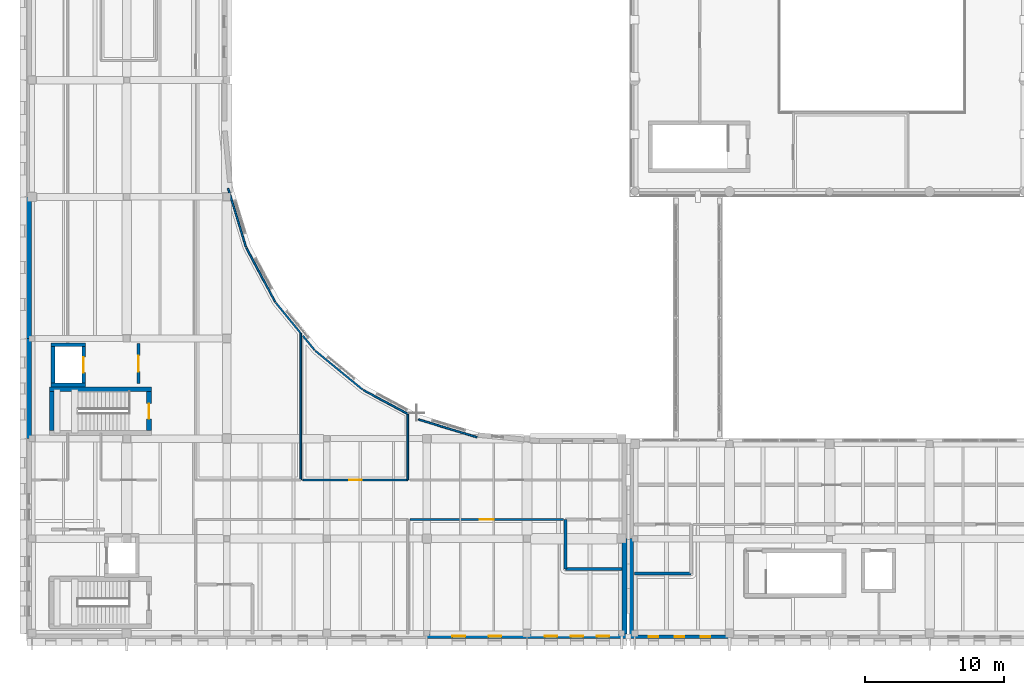
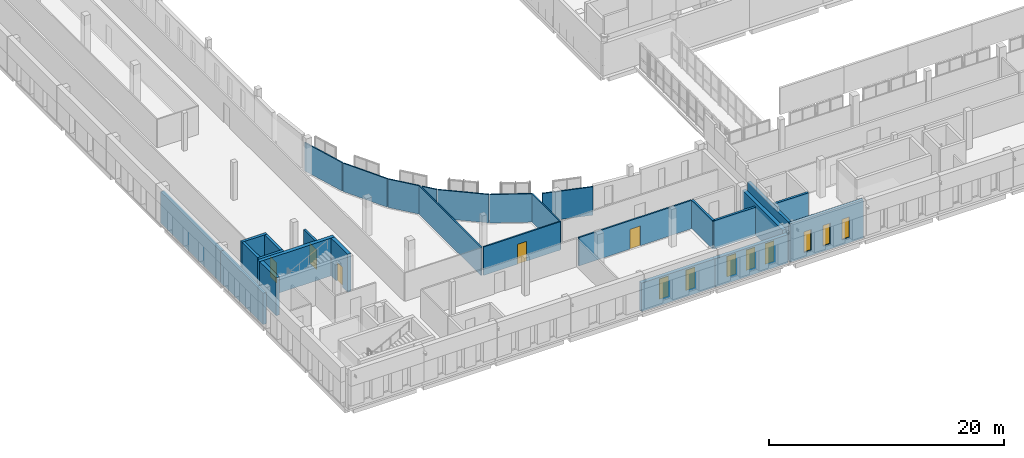
# One storey, part 50 of 76: 29 walls, 8 windows, 5 doors, 13 openings.
"""IFC4 building model written with IfcOpenShell, lengths in metres."""

from ifc_helpers import new_model, si_unit, direction, frame, frame_2d, origin, place, context, subcontext, project, spatial, rectangle, extrude, material, layer, layer_set, type_object, element, fill, save


model = new_model("IFC4")

# Units and contexts
model_context = context("Model", 3, precision=1e-05, world=origin(), true_north=direction((0.0, 1.0)))
body_context = subcontext(model_context, "Body", "Model", "MODEL_VIEW")
ifc_project = project(units=[si_unit("LENGTHUNIT", "METRE"), si_unit("AREAUNIT", "SQUARE_METRE"), si_unit("VOLUMEUNIT", "CUBIC_METRE"), si_unit("PLANEANGLEUNIT", "RADIAN"), si_unit("MASSUNIT", "GRAM", prefix="KILO")], contexts=[model_context])

# Site, building, storey
site_placement = place(None, origin())
site = spatial("IfcSite", under=ifc_project, at=site_placement, CompositionType="ELEMENT")
building_placement = place(site_placement, origin())
building = spatial("IfcBuilding", under=site, at=building_placement, Name="Vardoun Plaza Health Centre", CompositionType="ELEMENT")
storey_placement = place(building_placement, frame((0.0, 0.0, 4.5)))
storey = spatial("IfcBuildingStorey", under=building, at=storey_placement, Name="L01", CompositionType="ELEMENT", Elevation=4.5)

# Walls
ifc_material_1 = material(Name="Concrete C40/50", Category="concrete")
ifc_layer_1 = layer(ifc_material_1, 0.27001953125)
ifc_layer_set_1 = layer_set([ifc_layer_1], Name="Concrete C40/50")
wall_type_1 = type_object("IfcWallType", Name="SW-03", PredefinedType="SHEAR", material=ifc_layer_set_1)
wall_1_placement = place(storey_placement, frame((8.735107421875, 22.75, 0.0), z_axis=(0.0, 0.0, 1.0), x_axis=(-1.0, 0.0, 0.0)))
element("IfcWall", 1, at=wall_1_placement, inside=storey, type_object=wall_type_1, Name="Lift LF-02 L01 Shaft Wall S", PredefinedType="SHEAR", context=body_context, shape_type="SweptSolid", body=[
    extrude(rectangle(XDim=2.47021484375, YDim=0.27001953125, at=frame_2d((1.235107421875, 0.0))), origin(), (0.0, 0.0, 1.0), 3.919921875),
])
wall_2_placement = place(storey_placement, frame((6.39990234375, 22.885009765625, 0.0), z_axis=(0.0, 0.0, 1.0), x_axis=(0.0, 1.0, 0.0)))
element("IfcWall", 2, at=wall_2_placement, inside=storey, type_object=wall_type_1, Name="Lift LF-02 L01 Shaft Wall W", PredefinedType="SHEAR", context=body_context, shape_type="SweptSolid", body=[
    extrude(rectangle(XDim=2.6298828125, YDim=0.27001953125, at=frame_2d((1.31494140625, 0.0))), origin(), (0.0, 0.0, 1.0), 3.919921875),
])
wall_3_placement = place(storey_placement, frame((6.264892578125, 25.64990234375, 0.0), z_axis=(0.0, 0.0, 1.0), x_axis=(1.0, 0.0, 0.0)))
element("IfcWall", 3, at=wall_3_placement, inside=storey, type_object=wall_type_1, Name="Lift LF-02 L01 Shaft Wall N", PredefinedType="SHEAR", context=body_context, shape_type="SweptSolid", body=[
    extrude(rectangle(XDim=2.47021484375, YDim=0.27001953125, at=frame_2d((1.235107421875, 0.0))), origin(), (0.0, 0.0, 1.0), 3.919921875),
])

# Wall, opening, door
wall_4_placement = place(storey_placement, frame((8.60009765625, 25.514892578125, 0.0), z_axis=(0.0, 0.0, 1.0), x_axis=(0.0, -1.0, 0.0)))
wall_4 = element("IfcWall", 4, at=wall_4_placement, inside=storey, type_object=wall_type_1, Name="Lift LF-02 L01 Shaft Wall E", PredefinedType="SHEAR", context=body_context, shape_type="SweptSolid", body=[
    extrude(rectangle(XDim=2.6298828125, YDim=0.27001953125, at=frame_2d((1.31494140625, 0.0))), origin(), (0.0, 0.0, 1.0), 3.919921875),
])
opening_1_placement = place(wall_4_placement, frame((0.7548828125, 0.0, 0.0)))
opening_1 = element("IfcOpeningElement", 5, at=opening_1_placement, cuts=wall_4, Name="Opening LD-LF-02-L01", PredefinedType="OPENING", context=body_context, shape_type="SweptSolid", body=[
    extrude(rectangle(XDim=1.1201171875, YDim=2.10009765625, at=frame_2d((0.56005859375, 1.050048828125))), frame((0.0, 0.135009765625, 0.0), z_axis=(0.0, -1.0, 0.0), x_axis=(1.0, 0.0, 0.0)), (0.0, 0.0, 1.0), 0.27001953125),
])
ifc_material_2 = material(Name="Brushed Stainless Steel Grade 316L", Category="steel")
door_type_1 = type_object("IfcDoorType", Name="LD-01", OperationType="DOUBLE_DOOR_SLIDING", PredefinedType="DOOR", material=ifc_material_2)
door_1_placement = place(opening_1_placement, origin())
door_1 = element("IfcDoor", 6, at=door_1_placement, inside=storey, type_object=door_type_1, Name="Lift LF-02 L01 Sliding Landing Door", OperationType="DOUBLE_DOOR_SLIDING", OverallHeight=2.10009765625, OverallWidth=1.1201171875, PredefinedType="DOOR", context=body_context, shape_type="SweptSolid", body=[
    extrude(rectangle(XDim=1.1201171875, YDim=2.10009765625, at=frame_2d((0.56005859375, 1.050048828125))), frame((0.0, 0.02490234375, 0.0), z_axis=(0.0, -1.0, 0.0), x_axis=(1.0, 0.0, 0.0)), (0.0, 0.0, 1.0), 0.050048828125),
])
fill(opening_1, door_1)

# Walls
ifc_material_3 = material(Name="Concrete C40/50", Category="concrete")
ifc_layer_2 = layer(ifc_material_3, 0.35009765625)
ifc_layer_set_2 = layer_set([ifc_layer_2], Name="Concrete C40/50")
wall_type_2 = type_object("IfcWallType", Name="SW-02", PredefinedType="SHEAR", material=ifc_layer_set_2)
wall_5_placement = place(storey_placement, frame((6.300048828125, 19.47509765625, 0.0), z_axis=(0.0, 0.0, 1.0), x_axis=(0.0, 1.0, 0.0)))
element("IfcWall", 7, at=wall_5_placement, inside=storey, type_object=wall_type_2, Name="Core C2 L01 Shear Wall W", PredefinedType="SHEAR", context=body_context, shape_type="SweptSolid", body=[
    extrude(rectangle(XDim=2.7998046875, YDim=0.35009765625, at=frame_2d((1.39990234375, 0.0))), origin(), (0.0, 0.0, 1.0), 3.919921875),
])
wall_6_placement = place(storey_placement, frame((6.125, 22.449951171875, 0.0), z_axis=(0.0, 0.0, 1.0), x_axis=(1.0, 0.0, 0.0)))
element("IfcWall", 8, at=wall_6_placement, inside=storey, type_object=wall_type_2, Name="Core C2 L01 Shear Wall N", PredefinedType="SHEAR", context=body_context, shape_type="SweptSolid", body=[
    extrude(rectangle(XDim=7.35009765625, YDim=0.35009765625, at=frame_2d((3.675048828125, 0.0))), origin(), (0.0, 0.0, 1.0), 3.919921875),
])

# Wall, opening, door
wall_7_placement = place(storey_placement, frame((13.300048828125, 22.27490234375, 0.0), z_axis=(0.0, 0.0, 1.0), x_axis=(0.0, -1.0, 0.0)))
wall_7 = element("IfcWall", 9, at=wall_7_placement, inside=storey, type_object=wall_type_2, Name="Core C2 L01 Shear Wall E", PredefinedType="SHEAR", context=body_context, shape_type="SweptSolid", body=[
    extrude(rectangle(XDim=2.7998046875, YDim=0.35009765625, at=frame_2d((1.39990234375, 0.0))), origin(), (0.0, 0.0, 1.0), 3.919921875),
])
opening_2_placement = place(wall_7_placement, frame((0.85009765625, 0.0, 0.0)))
opening_2 = element("IfcOpeningElement", 10, at=opening_2_placement, cuts=wall_7, Name="Opening SD-C2-L01", PredefinedType="OPENING", context=body_context, shape_type="SweptSolid", body=[
    extrude(rectangle(XDim=1.10009765625, YDim=2.050048828125, at=frame_2d((0.550048828125, 1.02490234375))), frame((0.0, 0.175048828125, 0.0), z_axis=(0.0, -1.0, 0.0), x_axis=(1.0, 0.0, 0.0)), (0.0, 0.0, 1.0), 0.35009765625),
])
ifc_material_4 = material(Name="Brushed Stainless Steel Grade 316L", Category="steel")
door_type_2 = type_object("IfcDoorType", Name="FD-01", OperationType="NOTDEFINED", PredefinedType="DOOR", material=ifc_material_4)
door_2_placement = place(opening_2_placement, origin())
door_2 = element("IfcDoor", 11, at=door_2_placement, inside=storey, type_object=door_type_2, Name="Stair C2 L01 Fire Door", OperationType="SINGLE_SWING_LEFT", OverallHeight=2.050048828125, OverallWidth=1.10009765625, PredefinedType="DOOR", context=body_context, shape_type="SweptSolid", body=[
    extrude(rectangle(XDim=1.10009765625, YDim=2.050048828125, at=frame_2d((0.550048828125, 1.02490234375))), frame((0.0, 0.02490234375, 0.0), z_axis=(0.0, -1.0, 0.0), x_axis=(1.0, 0.0, 0.0)), (0.0, 0.0, 1.0), 0.050048828125),
])
fill(opening_2, door_2)

# Wall, openings, windows
ifc_material_5 = material(Name="Pale Limestone Concrete C35/45", Category="masonry")
ifc_layer_3 = layer(ifc_material_5, 0.280029296875)
ifc_layer_set_3 = layer_set([ifc_layer_3], Name="Pale Limestone Concrete C35/45")
wall_type_3 = type_object("IfcWallType", Name="EW-05", PredefinedType="STANDARD", material=ifc_layer_set_3)
wall_8_placement = place(storey_placement, frame((55.080078125, 4.639892578125, 0.0), z_axis=(0.0, 0.0, 1.0), x_axis=(-1.0, 0.0, 0.0)))
wall_8 = element("IfcWall", 12, at=wall_8_placement, inside=storey, type_object=wall_type_3, Name="V4 L01 Exterior Wall EW-V4-345", PredefinedType="STANDARD", context=body_context, shape_type="SweptSolid", body=[
    extrude(rectangle(XDim=7.2001953125, YDim=0.280029296875, at=frame_2d((3.60009765625, 0.0))), origin(), (0.0, 0.0, 1.0), 3.9951171875),
])
opening_3_placement = place(wall_8_placement, frame((1.373046875, 0.0, 0.550048828125)))
opening_3 = element("IfcOpeningElement", 13, at=opening_3_placement, cuts=wall_8, Name="Opening W-32-015", PredefinedType="OPENING", context=body_context, shape_type="SweptSolid", body=[
    extrude(rectangle(XDim=0.7099609375, YDim=2.139892578125, at=frame_2d((0.35498046875, 1.06982421875))), frame((0.0, 0.14013671875, 0.0), z_axis=(0.0, -1.0, 0.0), x_axis=(1.0, 0.0, 0.0)), (0.0, 0.0, 1.0), 0.280029296875),
])
opening_4_placement = place(wall_8_placement, frame((3.2451171875, 0.0, 0.550048828125)))
opening_4 = element("IfcOpeningElement", 14, at=opening_4_placement, cuts=wall_8, Name="Opening W-32-016", PredefinedType="OPENING", context=body_context, shape_type="SweptSolid", body=[
    extrude(rectangle(XDim=0.7099609375, YDim=2.139892578125, at=frame_2d((0.35498046875, 1.06982421875))), frame((0.0, 0.14013671875, 0.0), z_axis=(0.0, -1.0, 0.0), x_axis=(1.0, 0.0, 0.0)), (0.0, 0.0, 1.0), 0.280029296875),
])
opening_5_placement = place(wall_8_placement, frame((5.116943359375, 0.0, 0.550048828125)))
opening_5 = element("IfcOpeningElement", 15, at=opening_5_placement, cuts=wall_8, Name="Opening W-32-017", PredefinedType="OPENING", context=body_context, shape_type="SweptSolid", body=[
    extrude(rectangle(XDim=0.7099609375, YDim=2.139892578125, at=frame_2d((0.35498046875, 1.06982421875))), frame((0.0, 0.14013671875, 0.0), z_axis=(0.0, -1.0, 0.0), x_axis=(1.0, 0.0, 0.0)), (0.0, 0.0, 1.0), 0.280029296875),
])
ifc_material_6 = material(Name="Aluminium Alloy EN AW-6063-T6 and Low-E Glass", Category="aluminium")
window_type_1 = type_object("IfcWindowType", Name="W-32", PartitioningType="SINGLE_PANEL", PredefinedType="WINDOW", material=ifc_material_6)
window_1_placement = place(opening_3_placement, origin())
window_1 = element("IfcWindow", 16, at=window_1_placement, inside=storey, type_object=window_type_1, Name="V4 L01 Deep-Punched Slot Window W-32-542", OverallHeight=2.139892578125, OverallWidth=0.7099609375, PartitioningType="SINGLE_PANEL", PredefinedType="WINDOW", context=body_context, shape_type="SweptSolid", body=[
    extrude(rectangle(XDim=0.7099609375, YDim=2.139892578125, at=frame_2d((0.35498046875, 1.06982421875))), frame((0.0, 0.030029296875, 0.0), z_axis=(0.0, -1.0, 0.0), x_axis=(1.0, 0.0, 0.0)), (0.0, 0.0, 1.0), 0.06005859375),
])
fill(opening_3, window_1)
window_2_placement = place(opening_4_placement, origin())
window_2 = element("IfcWindow", 17, at=window_2_placement, inside=storey, type_object=window_type_1, Name="V4 L01 Deep-Punched Slot Window W-32-543", OverallHeight=2.139892578125, OverallWidth=0.7099609375, PartitioningType="SINGLE_PANEL", PredefinedType="WINDOW", context=body_context, shape_type="SweptSolid", body=[
    extrude(rectangle(XDim=0.7099609375, YDim=2.139892578125, at=frame_2d((0.35498046875, 1.06982421875))), frame((0.0, 0.030029296875, 0.0), z_axis=(0.0, -1.0, 0.0), x_axis=(1.0, 0.0, 0.0)), (0.0, 0.0, 1.0), 0.06005859375),
])
fill(opening_4, window_2)
window_3_placement = place(opening_5_placement, origin())
window_3 = element("IfcWindow", 18, at=window_3_placement, inside=storey, type_object=window_type_1, Name="V4 L01 Deep-Punched Slot Window W-32-544", OverallHeight=2.139892578125, OverallWidth=0.7099609375, PartitioningType="SINGLE_PANEL", PredefinedType="WINDOW", context=body_context, shape_type="SweptSolid", body=[
    extrude(rectangle(XDim=0.7099609375, YDim=2.139892578125, at=frame_2d((0.35498046875, 1.06982421875))), frame((0.0, 0.030029296875, 0.0), z_axis=(0.0, -1.0, 0.0), x_axis=(1.0, 0.0, 0.0)), (0.0, 0.0, 1.0), 0.06005859375),
])
fill(opening_5, window_3)

# Walls
wall_9_placement = place(storey_placement, frame((48.02001953125, 4.780029296875, 0.0), z_axis=(0.0, 0.0, 1.0), x_axis=(0.0, 1.0, 0.0)))
element("IfcWall", 19, at=wall_9_placement, inside=storey, type_object=wall_type_3, Name="V4 L01 Exterior Wall EW-V4-346", PredefinedType="STANDARD", context=body_context, shape_type="SweptSolid", body=[
    extrude(rectangle(XDim=6.919921875, YDim=0.280029296875, at=frame_2d((3.4599609375, 0.0))), origin(), (0.0, 0.0, 1.0), 3.9951171875),
])
ifc_material_7 = material(Name="Pale Limestone Concrete C35/45", Category="masonry")
ifc_layer_4 = layer(ifc_material_7, 0.344970703125)
ifc_layer_set_4 = layer_set([ifc_layer_4], Name="Pale Limestone Concrete C35/45")
wall_type_4 = type_object("IfcWallType", Name="EW-01", PredefinedType="SOLIDWALL", material=ifc_layer_set_4)
wall_10_placement = place(storey_placement, frame((47.527587890625, 11.699951171875, 0.0), z_axis=(0.0, 0.0, 1.0), x_axis=(0.0, -1.0, 0.0)))
element("IfcWall", 20, at=wall_10_placement, inside=storey, type_object=wall_type_4, Name="V2 L01 Exterior Wall EW-V2-110", PredefinedType="SOLIDWALL", context=body_context, shape_type="SweptSolid", body=[
    extrude(rectangle(XDim=6.85498046875, YDim=0.344970703125, at=frame_2d((3.427490234375, 0.0))), origin(), (0.0, 0.0, 1.0), 3.324951171875),
])

# Wall, openings, windows
wall_11_placement = place(storey_placement, frame((47.699951171875, 4.672607421875, 0.0), z_axis=(0.0, 0.0, 1.0), x_axis=(-1.0, 0.0, 0.0)))
wall_11 = element("IfcWall", 21, at=wall_11_placement, inside=storey, type_object=wall_type_4, Name="V2 L01 Exterior Wall EW-V2-111", PredefinedType="SOLIDWALL", context=body_context, shape_type="SweptSolid", body=[
    extrude(rectangle(XDim=7.199951171875, YDim=0.344970703125, at=frame_2d((3.60009765625, 0.0))), origin(), (0.0, 0.0, 1.0), 2.955078125),
])
opening_6_placement = place(wall_11_placement, frame((1.2880859375, 0.0, 0.550048828125)))
opening_6 = element("IfcOpeningElement", 22, at=opening_6_placement, cuts=wall_11, Name="Opening W-18-001", PredefinedType="OPENING", context=body_context, shape_type="SweptSolid", body=[
    extrude(rectangle(XDim=0.8798828125, YDim=2.1201171875, at=frame_2d((0.43994140625, 1.06005859375))), frame((0.0, 0.17236328125, 0.0), z_axis=(0.0, -1.0, 0.0), x_axis=(1.0, 0.0, 0.0)), (0.0, 0.0, 1.0), 0.344970703125),
])
opening_7_placement = place(wall_11_placement, frame((3.159912109375, 0.0, 0.550048828125)))
opening_7 = element("IfcOpeningElement", 23, at=opening_7_placement, cuts=wall_11, Name="Opening W-18-002", PredefinedType="OPENING", context=body_context, shape_type="SweptSolid", body=[
    extrude(rectangle(XDim=0.8798828125, YDim=2.1201171875, at=frame_2d((0.43994140625, 1.06005859375))), frame((0.0, 0.17236328125, 0.0), z_axis=(0.0, -1.0, 0.0), x_axis=(1.0, 0.0, 0.0)), (0.0, 0.0, 1.0), 0.344970703125),
])
opening_8_placement = place(wall_11_placement, frame((5.031982421875, 0.0, 0.550048828125)))
opening_8 = element("IfcOpeningElement", 24, at=opening_8_placement, cuts=wall_11, Name="Opening W-18-003", PredefinedType="OPENING", context=body_context, shape_type="SweptSolid", body=[
    extrude(rectangle(XDim=0.8798828125, YDim=2.1201171875, at=frame_2d((0.43994140625, 1.06005859375))), frame((0.0, 0.17236328125, 0.0), z_axis=(0.0, -1.0, 0.0), x_axis=(1.0, 0.0, 0.0)), (0.0, 0.0, 1.0), 0.344970703125),
])
ifc_material_8 = material(Name="Aluminium Alloy EN AW-6063-T6 and Low-E Glass", Category="aluminium")
window_type_2 = type_object("IfcWindowType", Name="W-18", PartitioningType="SINGLE_PANEL", PredefinedType="WINDOW", material=ifc_material_8)
window_4_placement = place(opening_6_placement, origin())
window_4 = element("IfcWindow", 25, at=window_4_placement, inside=storey, type_object=window_type_2, Name="V2 L01 Deep-Punched Slot Window W-18-066", OverallHeight=2.1201171875, OverallWidth=0.8798828125, PartitioningType="SINGLE_PANEL", PredefinedType="WINDOW", context=body_context, shape_type="SweptSolid", body=[
    extrude(rectangle(XDim=0.8798828125, YDim=2.1201171875, at=frame_2d((0.43994140625, 1.06005859375))), frame((0.0, 0.030029296875, 0.0), z_axis=(0.0, -1.0, 0.0), x_axis=(1.0, 0.0, 0.0)), (0.0, 0.0, 1.0), 0.06005859375),
])
fill(opening_6, window_4)
window_5_placement = place(opening_7_placement, origin())
window_5 = element("IfcWindow", 26, at=window_5_placement, inside=storey, type_object=window_type_2, Name="V2 L01 Deep-Punched Slot Window W-18-067", OverallHeight=2.1201171875, OverallWidth=0.8798828125, PartitioningType="SINGLE_PANEL", PredefinedType="WINDOW", context=body_context, shape_type="SweptSolid", body=[
    extrude(rectangle(XDim=0.8798828125, YDim=2.1201171875, at=frame_2d((0.43994140625, 1.06005859375))), frame((0.0, 0.030029296875, 0.0), z_axis=(0.0, -1.0, 0.0), x_axis=(1.0, 0.0, 0.0)), (0.0, 0.0, 1.0), 0.06005859375),
])
fill(opening_7, window_5)
window_6_placement = place(opening_8_placement, origin())
window_6 = element("IfcWindow", 27, at=window_6_placement, inside=storey, type_object=window_type_2, Name="V2 L01 Deep-Punched Slot Window W-18-068", OverallHeight=2.1201171875, OverallWidth=0.8798828125, PartitioningType="SINGLE_PANEL", PredefinedType="WINDOW", context=body_context, shape_type="SweptSolid", body=[
    extrude(rectangle(XDim=0.8798828125, YDim=2.1201171875, at=frame_2d((0.43994140625, 1.06005859375))), frame((0.0, 0.030029296875, 0.0), z_axis=(0.0, -1.0, 0.0), x_axis=(1.0, 0.0, 0.0)), (0.0, 0.0, 1.0), 0.06005859375),
])
fill(opening_8, window_6)

wall_12_placement = place(storey_placement, frame((40.5, 4.672607421875, 0.0), z_axis=(0.0, 0.0, 1.0), x_axis=(-1.0, 0.0, 0.0)))
wall_12 = element("IfcWall", 28, at=wall_12_placement, inside=storey, type_object=wall_type_4, Name="V2 L01 Exterior Wall EW-V2-112", PredefinedType="SOLIDWALL", context=body_context, shape_type="SweptSolid", body=[
    extrude(rectangle(XDim=7.199951171875, YDim=0.344970703125, at=frame_2d((3.60009765625, 0.0))), origin(), (0.0, 0.0, 1.0), 2.955078125),
])
opening_9_placement = place(wall_12_placement, frame((1.843994140625, 0.0, 0.550048828125)))
opening_9 = element("IfcOpeningElement", 29, at=opening_9_placement, cuts=wall_12, Name="Opening W-19-002", PredefinedType="OPENING", context=body_context, shape_type="SweptSolid", body=[
    extrude(rectangle(XDim=0.919921875, YDim=2.10009765625, at=frame_2d((0.4599609375, 1.050048828125))), frame((0.0, 0.17236328125, 0.0), z_axis=(0.0, -1.0, 0.0), x_axis=(1.0, 0.0, 0.0)), (0.0, 0.0, 1.0), 0.344970703125),
])
opening_10_placement = place(wall_12_placement, frame((4.43603515625, 0.0, 0.550048828125)))
opening_10 = element("IfcOpeningElement", 30, at=opening_10_placement, cuts=wall_12, Name="Opening W-19-003", PredefinedType="OPENING", context=body_context, shape_type="SweptSolid", body=[
    extrude(rectangle(XDim=0.919921875, YDim=2.10009765625, at=frame_2d((0.4599609375, 1.050048828125))), frame((0.0, 0.17236328125, 0.0), z_axis=(0.0, -1.0, 0.0), x_axis=(1.0, 0.0, 0.0)), (0.0, 0.0, 1.0), 0.344970703125),
])
ifc_material_9 = material(Name="Aluminium Alloy EN AW-6063-T6 and Low-E Glass", Category="aluminium")
window_type_3 = type_object("IfcWindowType", Name="W-19", PartitioningType="DOUBLE_PANEL_VERTICAL", PredefinedType="WINDOW", material=ifc_material_9)
window_7_placement = place(opening_9_placement, origin())
window_7 = element("IfcWindow", 31, at=window_7_placement, inside=storey, type_object=window_type_3, Name="V2 L01 Deep-Punched Slot Window W-19-069", OverallHeight=2.10009765625, OverallWidth=0.919921875, PartitioningType="DOUBLE_PANEL_VERTICAL", PredefinedType="WINDOW", context=body_context, shape_type="SweptSolid", body=[
    extrude(rectangle(XDim=0.919921875, YDim=2.10009765625, at=frame_2d((0.4599609375, 1.050048828125))), frame((0.0, 0.030029296875, 0.0), z_axis=(0.0, -1.0, 0.0), x_axis=(1.0, 0.0, 0.0)), (0.0, 0.0, 1.0), 0.06005859375),
])
fill(opening_9, window_7)
window_8_placement = place(opening_10_placement, origin())
window_8 = element("IfcWindow", 32, at=window_8_placement, inside=storey, type_object=window_type_3, Name="V2 L01 Deep-Punched Slot Window W-19-070", OverallHeight=2.10009765625, OverallWidth=0.919921875, PartitioningType="DOUBLE_PANEL_VERTICAL", PredefinedType="WINDOW", context=body_context, shape_type="SweptSolid", body=[
    extrude(rectangle(XDim=0.919921875, YDim=2.10009765625, at=frame_2d((0.4599609375, 1.050048828125))), frame((0.0, 0.030029296875, 0.0), z_axis=(0.0, -1.0, 0.0), x_axis=(1.0, 0.0, 0.0)), (0.0, 0.0, 1.0), 0.06005859375),
])
fill(opening_10, window_8)

# Walls
wall_13_placement = place(storey_placement, frame((4.672607421875, 18.89990234375, 0.0), z_axis=(0.0, 0.0, 1.0), x_axis=(0.0, 1.0, 0.0)))
element("IfcWall", 33, at=wall_13_placement, inside=storey, type_object=wall_type_4, Name="V2 L01 Exterior Wall EW-V2-119", PredefinedType="SOLIDWALL", context=body_context, shape_type="SweptSolid", body=[
    extrude(rectangle(XDim=7.2001953125, YDim=0.344970703125, at=frame_2d((3.60009765625, 0.0))), origin(), (0.0, 0.0, 1.0), 3.2548828125),
])
wall_14_placement = place(storey_placement, frame((4.672607421875, 26.10009765625, 0.0), z_axis=(0.0, 0.0, 1.0), x_axis=(0.0, 1.0, 0.0)))
element("IfcWall", 34, at=wall_14_placement, inside=storey, type_object=wall_type_4, Name="V2 L01 Exterior Wall EW-V2-120", PredefinedType="SOLIDWALL", context=body_context, shape_type="SweptSolid", body=[
    extrude(rectangle(XDim=10.199951171875, YDim=0.344970703125, at=frame_2d((5.10009765625, 0.0))), origin(), (0.0, 0.0, 1.0), 3.2548828125),
])

# Wall, opening, door
ifc_material_10 = material(Name="Acoustic Gypsum Twin-Stud", Category="steel")
ifc_layer_5 = layer(ifc_material_10, 0.14990234375)
ifc_layer_set_5 = layer_set([ifc_layer_5], Name="Acoustic Gypsum Twin-Stud")
wall_type_5 = type_object("IfcWallType", Name="IW-04", PredefinedType="PARTITIONING", material=ifc_layer_set_5)
wall_15_placement = place(storey_placement, frame((32.090087890625, 13.080078125, 0.0), z_axis=(0.0, 0.0, 1.0), x_axis=(1.0, 0.0, 0.0)))
wall_15 = element("IfcWall", 35, at=wall_15_placement, inside=storey, type_object=wall_type_5, Name="GP Consulting Room 15 Partition Wall", PredefinedType="PARTITIONING", context=body_context, shape_type="SweptSolid", body=[
    extrude(rectangle(XDim=11.036376953125, YDim=0.14990234375, at=frame_2d((5.51806640625, 0.0))), origin(), (0.0, 0.0, 1.0), 2.93994140625),
])
opening_11_placement = place(wall_15_placement, frame((5.018310546875, 0.0, 0.0)))
opening_11 = element("IfcOpeningElement", 36, at=opening_11_placement, cuts=wall_15, Name="Opening D-L01-040", PredefinedType="OPENING", context=body_context, shape_type="SweptSolid", body=[
    extrude(rectangle(XDim=1.0, YDim=2.050048828125, at=frame_2d((0.5, 1.02490234375))), frame((0.0, 0.074951171875, 0.0), z_axis=(0.0, -1.0, 0.0), x_axis=(1.0, 0.0, 0.0)), (0.0, 0.0, 1.0), 0.14990234375),
])
ifc_material_11 = material(Name="Antimicrobial Acoustic Timber and Steel S275JR", Category="steel")
door_type_3 = type_object("IfcDoorType", Name="CD-03", OperationType="NOTDEFINED", PredefinedType="DOOR", material=ifc_material_11)
door_3_placement = place(opening_11_placement, origin())
door_3 = element("IfcDoor", 37, at=door_3_placement, inside=storey, type_object=door_type_3, Name="GP Consulting Room 15 Door D-L01-040", OperationType="SINGLE_SWING_RIGHT", OverallHeight=2.050048828125, OverallWidth=1.0, PredefinedType="DOOR", context=body_context, shape_type="SweptSolid", body=[
    extrude(rectangle(XDim=1.0, YDim=2.050048828125, at=frame_2d((0.5, 1.02490234375))), frame((0.0, 0.02490234375, 0.0), z_axis=(0.0, -1.0, 0.0), x_axis=(1.0, 0.0, 0.0)), (0.0, 0.0, 1.0), 0.050048828125),
])
fill(opening_11, door_3)

# Walls
ifc_material_12 = material(Name="Standard Clinical Sub-Partition", Category="steel")
ifc_layer_6 = layer(ifc_material_12, 0.125)
ifc_layer_set_6 = layer_set([ifc_layer_6], Name="Standard Clinical Sub-Partition")
wall_type_6 = type_object("IfcWallType", Name="IW-11", PredefinedType="PARTITIONING", material=ifc_layer_set_6)
for number, where, z_axis, x_axis, name in (
    (38, (18.997314453125, 36.908935546875, 0.0), (0.0, 0.0, 1.0), (0.290306937487, -0.956933582882, 0.0), "GP Consulting Room 11 Enclosure Partition"),
    (39, (20.303955078125, 32.62451171875, 0.0), (0.0, 0.0, 1.0), (0.471424034078, -0.88190667312, 0.0), "GP Consulting Room 11 Enclosure Partition"),
):
    element("IfcWall", number, at=place(storey_placement, frame(where, z_axis=z_axis, x_axis=x_axis)), inside=storey, type_object=wall_type_6, Name=name, PredefinedType="PARTITIONING", context=body_context, shape_type="SweptSolid", body=[
        extrude(rectangle(XDim=4.410888671875, YDim=0.125, at=frame_2d((2.20556640625, 0.0))), origin(), (0.0, 0.0, 1.0), 2.93994140625),
    ])
wall_16_placement = place(storey_placement, frame((22.42138671875, 28.677734375, 0.0), z_axis=(0.0, 0.0, 1.0), x_axis=(0.634381268995, -0.773020313801, 0.0)))
element("IfcWall", 40, at=wall_16_placement, inside=storey, type_object=wall_type_6, Name="GP Consulting Room 11 Enclosure Partition", PredefinedType="PARTITIONING", context=body_context, shape_type="SweptSolid", body=[
    extrude(rectangle(XDim=2.835205078125, YDim=0.125, at=frame_2d((1.41748046875, 0.0))), origin(), (0.0, 0.0, 1.0), 2.93994140625),
])
wall_17_placement = place(storey_placement, frame((24.219970703125, 26.486083984375, 0.0), z_axis=(0.0, 0.0, 1.0), x_axis=(0.0, -1.0, 0.0)))
element("IfcWall", 41, at=wall_17_placement, inside=storey, type_object=wall_type_6, Name="GP Consulting Room 11 Enclosure Partition", PredefinedType="PARTITIONING", context=body_context, shape_type="SweptSolid", body=[
    extrude(rectangle(XDim=10.566162109375, YDim=0.125, at=frame_2d((5.283203125, 0.0))), origin(), (0.0, 0.0, 1.0), 2.93994140625),
])
wall_18_placement = place(storey_placement, frame((25.26806640625, 25.219482421875, 0.0), z_axis=(0.0, 0.0, 1.0), x_axis=(0.773026739032, -0.634373439499, 0.0)))
element("IfcWall", 42, at=wall_18_placement, inside=storey, type_object=wall_type_6, Name="Clean Utility Room L01 Enclosure Partition", PredefinedType="PARTITIONING", context=body_context, shape_type="SweptSolid", body=[
    extrude(rectangle(XDim=4.410888671875, YDim=0.125, at=frame_2d((2.20556640625, 0.0))), origin(), (0.0, 0.0, 1.0), 2.93994140625),
])
wall_19_placement = place(storey_placement, frame((28.734619140625, 22.38330078125, 0.0), z_axis=(0.0, 0.0, 1.0), x_axis=(0.881912348796, -0.471413416273, 0.0)))
element("IfcWall", 43, at=wall_19_placement, inside=storey, type_object=wall_type_6, Name="Clean Utility Room L01 Enclosure Partition", PredefinedType="PARTITIONING", context=body_context, shape_type="SweptSolid", body=[
    extrude(rectangle(XDim=3.623046875, YDim=0.125, at=frame_2d((1.8115234375, 0.0))), origin(), (0.0, 0.0, 1.0), 2.93994140625),
])
wall_20_placement = place(storey_placement, frame((31.929931640625, 20.67529296875, 0.0), z_axis=(0.0, 0.0, 1.0), x_axis=(0.0, -1.0, 0.0)))
element("IfcWall", 44, at=wall_20_placement, inside=storey, type_object=wall_type_6, Name="Clean Utility Room L01 Enclosure Partition", PredefinedType="PARTITIONING", context=body_context, shape_type="SweptSolid", body=[
    extrude(rectangle(XDim=4.75537109375, YDim=0.125, at=frame_2d((2.377685546875, 0.0))), origin(), (0.0, 0.0, 1.0), 2.93994140625),
])
wall_21_placement = place(storey_placement, frame((24.3798828125, 26.291015625, 0.0), z_axis=(0.0, 0.0, 1.0), x_axis=(0.634432512687, -0.77297825768, 0.0)))
element("IfcWall", 45, at=wall_21_placement, inside=storey, type_object=wall_type_6, Name="Clean Utility Room L01 Enclosure Partition", PredefinedType="PARTITIONING", context=body_context, shape_type="SweptSolid", body=[
    extrude(rectangle(XDim=1.323486328125, YDim=0.125, at=frame_2d((0.66162109375, 0.0))), origin(), (0.0, 0.0, 1.0), 2.93994140625),
])
wall_22_placement = place(storey_placement, frame((32.68798828125, 20.27783203125, 0.0), z_axis=(0.0, 0.0, 1.0), x_axis=(0.956933582882, -0.290306937487, 0.0)))
element("IfcWall", 46, at=wall_22_placement, inside=storey, type_object=wall_type_6, Name="Outpatient Waiting Lounge L01 Enclosure Partition", PredefinedType="PARTITIONING", context=body_context, shape_type="SweptSolid", body=[
    extrude(rectangle(XDim=4.410888671875, YDim=0.125, at=frame_2d((2.20556640625, 0.0))), origin(), (0.0, 0.0, 1.0), 2.93994140625),
])

# Wall, opening, door
ifc_material_13 = material(Name="Concrete C35/45", Category="concrete")
ifc_layer_7 = layer(ifc_material_13, 0.199951171875)
ifc_layer_set_7 = layer_set([ifc_layer_7], Name="Concrete C35/45")
wall_type_7 = type_object("IfcWallType", Name="IW-01", PredefinedType="SOLIDWALL", material=ifc_layer_set_7)
wall_23_placement = place(storey_placement, frame((12.550048828125, 25.75, 0.0), z_axis=(0.0, 0.0, 1.0), x_axis=(0.0, -1.0, 0.0)))
wall_23 = element("IfcWall", 47, at=wall_23_placement, inside=storey, type_object=wall_type_7, Name="Firefighting Lobby C2 L01 Wall", PredefinedType="SOLIDWALL", context=body_context, shape_type="SweptSolid", body=[
    extrude(rectangle(XDim=2.89990234375, YDim=0.199951171875, at=frame_2d((1.449951171875, 0.0))), origin(), (0.0, 0.0, 1.0), 2.93994140625),
])
opening_12_placement = place(wall_23_placement, frame((0.875, 0.0, 0.0)))
opening_12 = element("IfcOpeningElement", 48, at=opening_12_placement, cuts=wall_23, Name="Opening FD-FF-C2-L01", PredefinedType="OPENING", context=body_context, shape_type="SweptSolid", body=[
    extrude(rectangle(XDim=1.14990234375, YDim=2.050048828125, at=frame_2d((0.574951171875, 1.02490234375))), frame((0.0, 0.10009765625, 0.0), z_axis=(0.0, -1.0, 0.0), x_axis=(1.0, 0.0, 0.0)), (0.0, 0.0, 1.0), 0.199951171875),
])
ifc_material_14 = material(Name="Antimicrobial Acoustic Timber and Steel S275JR", Category="steel")
door_type_4 = type_object("IfcDoorType", Name="FD-02", OperationType="NOTDEFINED", PredefinedType="DOOR", material=ifc_material_14)
door_4_placement = place(opening_12_placement, origin())
door_4 = element("IfcDoor", 49, at=door_4_placement, inside=storey, type_object=door_type_4, Name="Firefighting Lobby C2 L01 Fire Door", OperationType="SINGLE_SWING_RIGHT", OverallHeight=2.050048828125, OverallWidth=1.14990234375, PredefinedType="DOOR", context=body_context, shape_type="SweptSolid", body=[
    extrude(rectangle(XDim=1.14990234375, YDim=2.050048828125, at=frame_2d((0.574951171875, 1.02490234375))), frame((0.0, 0.02490234375, 0.0), z_axis=(0.0, -1.0, 0.0), x_axis=(1.0, 0.0, 0.0)), (0.0, 0.0, 1.0), 0.050048828125),
])
fill(opening_12, door_4)

# Walls
ifc_material_15 = material(Name="Moisture-Resistant Plumbing Chase", Category="steel")
ifc_layer_8 = layer(ifc_material_15, 0.215087890625)
ifc_layer_set_8 = layer_set([ifc_layer_8], Name="Moisture-Resistant Plumbing Chase")
wall_type_8 = type_object("IfcWallType", Name="IW-06", PredefinedType="PLUMBINGWALL", material=ifc_layer_set_8)
wall_24_placement = place(storey_placement, frame((47.35009765625, 9.529052734375, 0.0), z_axis=(0.0, 0.0, 1.0), x_axis=(-1.0, 0.0, 0.0)))
element("IfcWall", 50, at=wall_24_placement, inside=storey, type_object=wall_type_8, Name="Staff WC L01-V2 Enclosure Partition", PredefinedType="PLUMBINGWALL", context=body_context, shape_type="SweptSolid", body=[
    extrude(rectangle(XDim=4.08349609375, YDim=0.215087890625, at=frame_2d((2.041748046875, 0.0))), origin(), (0.0, 0.0, 1.0), 2.93994140625),
])
wall_25_placement = place(storey_placement, frame((43.2666015625, 9.529052734375, 0.0), z_axis=(0.0, 0.0, 1.0), x_axis=(0.0, 1.0, 0.0)))
element("IfcWall", 51, at=wall_25_placement, inside=storey, type_object=wall_type_8, Name="Staff WC L01-V2 Enclosure Partition", PredefinedType="PLUMBINGWALL", context=body_context, shape_type="SweptSolid", body=[
    extrude(rectangle(XDim=3.551025390625, YDim=0.215087890625, at=frame_2d((1.775390625, 0.0))), origin(), (0.0, 0.0, 1.0), 2.93994140625),
])
wall_26_placement = place(storey_placement, frame((52.3134765625, 9.17919921875, 0.0), z_axis=(0.0, 0.0, 1.0), x_axis=(-1.0, 0.0, 0.0)))
element("IfcWall", 52, at=wall_26_placement, inside=storey, type_object=wall_type_8, Name="Accessible WC L01-V4 Enclosure Partition", PredefinedType="PLUMBINGWALL", context=body_context, shape_type="SweptSolid", body=[
    extrude(rectangle(XDim=4.08349609375, YDim=0.215087890625, at=frame_2d((2.041748046875, 0.0))), origin(), (0.0, 0.0, 1.0), 2.905029296875),
])

# Wall, opening, door
ifc_material_16 = material(Name="Hygienic Cleanroom Partition", Category="steel")
ifc_layer_9 = layer(ifc_material_16, 0.14208984375)
ifc_layer_set_9 = layer_set([ifc_layer_9], Name="Hygienic Cleanroom Partition")
wall_type_9 = type_object("IfcWallType", Name="IW-10", PredefinedType="PARTITIONING", material=ifc_layer_set_9)
wall_27_placement = place(storey_placement, frame((31.929931640625, 15.919921875, 0.0), z_axis=(0.0, 0.0, 1.0), x_axis=(-1.0, 0.0, 0.0)))
wall_27 = element("IfcWall", 53, at=wall_27_placement, inside=storey, type_object=wall_type_9, Name="Clean Utility Room L01 Partition Wall", PredefinedType="PARTITIONING", context=body_context, shape_type="SweptSolid", body=[
    extrude(rectangle(XDim=7.550048828125, YDim=0.14208984375, at=frame_2d((3.77490234375, 0.0))), origin(), (0.0, 0.0, 1.0), 2.93994140625),
])
opening_13_placement = place(wall_27_placement, frame((3.324951171875, 0.0, 0.0)))
opening_13 = element("IfcOpeningElement", 54, at=opening_13_placement, cuts=wall_27, Name="Opening D-L01-042", PredefinedType="OPENING", context=body_context, shape_type="SweptSolid", body=[
    extrude(rectangle(XDim=0.89990234375, YDim=2.050048828125, at=frame_2d((0.449951171875, 1.02490234375))), frame((0.0, 0.071044921875, 0.0), z_axis=(0.0, -1.0, 0.0), x_axis=(1.0, 0.0, 0.0)), (0.0, 0.0, 1.0), 0.14208984375),
])
ifc_material_17 = material(Name="Antimicrobial Acoustic Timber and Steel S275JR", Category="steel")
door_type_5 = type_object("IfcDoorType", Name="CD-08", OperationType="NOTDEFINED", PredefinedType="DOOR", material=ifc_material_17)
door_5_placement = place(opening_13_placement, origin())
door_5 = element("IfcDoor", 55, at=door_5_placement, inside=storey, type_object=door_type_5, Name="Clean Utility Room L01 Door D-L01-042", OperationType="SINGLE_SWING_RIGHT", OverallHeight=2.050048828125, OverallWidth=0.89990234375, PredefinedType="DOOR", context=body_context, shape_type="SweptSolid", body=[
    extrude(rectangle(XDim=0.89990234375, YDim=2.050048828125, at=frame_2d((0.449951171875, 1.02490234375))), frame((0.0, 0.02490234375, 0.0), z_axis=(0.0, -1.0, 0.0), x_axis=(1.0, 0.0, 0.0)), (0.0, 0.0, 1.0), 0.050048828125),
])
fill(opening_13, door_5)

save(model, "model.ifc")
